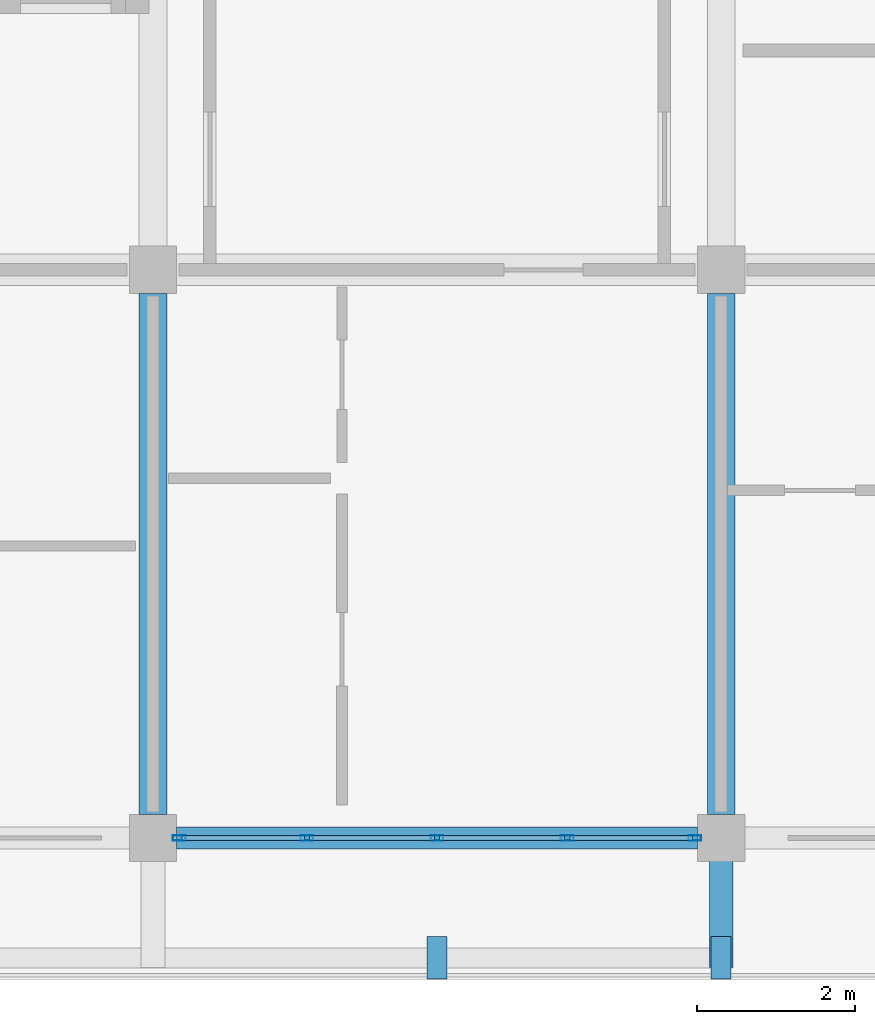
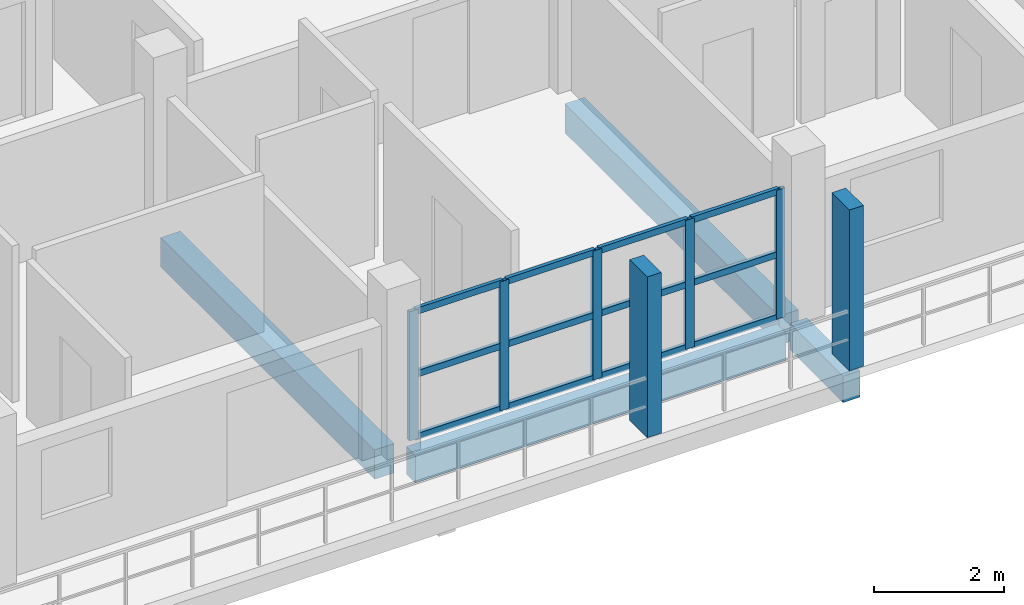
# One storey, part 8 of 78: 19 members, 4 beams, 1 element without a shape of its own.
"""IFC4 building model written with IfcOpenShell, lengths in metres."""

from ifc_helpers import new_model, si_unit, direction, frame, origin, origin_2d, place, context, subcontext, project, spatial, rectangle, hollow_rectangle, extrude, material, material_profile, profile_set, type_object, element, aggregate, save


model = new_model("IFC4")

# Units and contexts
model_context = context("Model", 3, precision=1e-05, world=origin(), true_north=direction((0.0, 1.0)))
body_context = subcontext(model_context, "Body", "Model", "MODEL_VIEW")
ifc_project = project(units=[si_unit("LENGTHUNIT", "METRE"), si_unit("AREAUNIT", "SQUARE_METRE"), si_unit("VOLUMEUNIT", "CUBIC_METRE"), si_unit("PLANEANGLEUNIT", "RADIAN"), si_unit("MASSUNIT", "GRAM", prefix="KILO")], contexts=[model_context])

# Site, building, storey
site_placement = place(None, origin())
site = spatial("IfcSite", under=ifc_project, at=site_placement, CompositionType="ELEMENT")
building_placement = place(site_placement, origin())
building = spatial("IfcBuilding", under=site, at=building_placement, Name="Suanplinth Sawtooth Commons", CompositionType="ELEMENT")
storey_placement = place(building_placement, frame((0.0, 0.0, 15.39990234375)))
storey = spatial("IfcBuildingStorey", under=building, at=storey_placement, Name="L04", CompositionType="ELEMENT", Elevation=15.39990234375)

# Beams
ifc_material_1 = material(Name="Precast concrete C40/50", Category="concrete")
ifc_material_profile_1 = material_profile(ifc_material_1, rectangle(XDim=0.35009765625, YDim=0.550048828125, at=origin_2d()), Name="PC-BM 350x550")
ifc_profile_set_1 = profile_set([ifc_material_profile_1], Name="Precast concrete C40/50")
beam_type_1 = type_object("IfcBeamType", Name="B-06", PredefinedType="BEAM", material=ifc_profile_set_1)
for number, where, z_axis, x_axis, name in (
    (1, (36.0, 0.300048828125, -0.494873046875), (0.0, 1.0, 0.0), (-1.0, 0.0, 0.0), "BMY-L04-D-5-0"),
    (2, (43.199951171875, 0.300048828125, -0.494873046875), (0.0, 1.0, 0.0), (-1.0, 0.0, 0.0), "BMY-L04-D-6-0"),
):
    element("IfcBeam", number, at=place(storey_placement, frame(where, z_axis=z_axis, x_axis=x_axis)), inside=storey, type_object=beam_type_1, Name=name, PredefinedType="BEAM", context=body_context, shape_type="SweptSolid", body=[
        extrude(rectangle(XDim=0.35009765625, YDim=0.550048828125, at=origin_2d()), origin(), (0.0, 0.0, 1.0), 6.599853515625),
    ])
ifc_material_profile_2 = material_profile(ifc_material_1, rectangle(XDim=0.300048828125, YDim=0.5, at=origin_2d()), Name="PC-BM 300x500")
ifc_profile_set_2 = profile_set([ifc_material_profile_2], Name="Precast concrete C40/50")
beam_type_2 = type_object("IfcBeamType", Name="B-07", PredefinedType="BEAM", material=ifc_profile_set_2)
beam_1_placement = place(storey_placement, frame((43.199951171875, 0.0, -0.429931640625), z_axis=(0.0, -1.0, 0.0), x_axis=(1.0, 0.0, 0.0)))
element("IfcBeam", 3, at=beam_1_placement, inside=storey, type_object=beam_type_2, Name="Balcony Outrigger L04-D-S-6", PredefinedType="BEAM", context=body_context, shape_type="SweptSolid", body=[
    extrude(rectangle(XDim=0.300048828125, YDim=0.5, at=origin_2d()), origin(), (0.0, 0.0, 1.0), 1.639892578125),
])
ifc_material_profile_3 = material_profile(ifc_material_1, rectangle(XDim=0.280029296875, YDim=0.52001953125, at=origin_2d()), Name="PC-SP 280x520")
ifc_profile_set_3 = profile_set([ifc_material_profile_3], Name="Precast concrete C40/50")
beam_type_3 = type_object("IfcBeamType", Name="B-08", PredefinedType="SPANDREL", material=ifc_profile_set_3)
beam_2_placement = place(storey_placement, frame((36.300048828125, 0.0, -0.47998046875), z_axis=(1.0, 0.0, 0.0), x_axis=(0.0, 1.0, 0.0)))
element("IfcBeam", 4, at=beam_2_placement, inside=storey, type_object=beam_type_3, Name="BMX-L04-D-5-0", PredefinedType="SPANDREL", context=body_context, shape_type="SweptSolid", body=[
    extrude(rectangle(XDim=0.280029296875, YDim=0.52001953125, at=origin_2d()), origin(), (0.0, 0.0, 1.0), 6.599853515625),
])

# Members
ifc_material_2 = material(Name="Pigmented precast concrete C40/50", Category="concrete")
ifc_material_profile_4 = material_profile(ifc_material_2, rectangle(XDim=0.25, YDim=0.5400390625, at=origin_2d()), Name="PC-FIN 250x540")
ifc_profile_set_4 = profile_set([ifc_material_profile_4], Name="Pigmented precast concrete C40/50")
member_type_1 = type_object("IfcMemberType", Name="M-11", PredefinedType="USERDEFINED", material=ifc_profile_set_4)
for number, where, z_axis, x_axis, name in (
    (5, (39.60009765625, -1.52001953125, 0.0), (0.0, 0.0, 1.0), (1.0, 0.0, 0.0), "Upright Solar Blade L04-D-S-06"),
    (6, (43.199951171875, -1.52001953125, 0.0), (0.0, 0.0, 1.0), (1.0, 0.0, 0.0), "Upright Solar Blade L04-D-S-07"),
):
    element("IfcMember", number, at=place(storey_placement, frame(where, z_axis=z_axis, x_axis=x_axis)), inside=storey, type_object=member_type_1, Name=name, ObjectType="SHADING FIN", PredefinedType="USERDEFINED", context=body_context, shape_type="SweptSolid", body=[
        extrude(rectangle(XDim=0.25, YDim=0.5400390625, at=origin_2d()), origin(), (0.0, 0.0, 1.0), 3.030029296875),
    ])

# Curtain wall, members
ifc_material_3 = material(Name="Anodized aluminium and low-E glazing", Category="aluminium")
curtain_wall_type = type_object("IfcCurtainWallType", Name="CW-06", PredefinedType="USERDEFINED", material=ifc_material_3)
curtain_wall_placement = place(storey_placement, origin())
curtain_wall = element("IfcCurtainWall", 7, at=curtain_wall_placement, inside=storey, type_object=curtain_wall_type, Name="Curtain Wall CW-L04-D-LOUNGE-5", ObjectType="CURTAIN WALL", PredefinedType="USERDEFINED")
ifc_material_4 = material(Name="Anodized aluminium 6063-T6", Category="aluminium")
ifc_material_profile_5 = material_profile(ifc_material_4, hollow_rectangle(XDim=0.06494140625, YDim=0.159912109375, WallThickness=0.00390625, at=origin_2d()), Name="ALU-MUL 65x160")
ifc_profile_set_5 = profile_set([ifc_material_profile_5], Name="Anodized aluminium 6063-T6")
member_type_2 = type_object("IfcMemberType", Name="M-13", PredefinedType="MULLION", material=ifc_profile_set_5)
member_1_placement = place(storey_placement, frame((36.33251953125, 0.0, 0.0), z_axis=(0.0, 0.0, 1.0), x_axis=(0.0, 1.0, 0.0)))
member_1 = element("IfcMember", 8, at=member_1_placement, type_object=member_type_2, Name="CW-06 mullion 1", PredefinedType="MULLION", context=body_context, shape_type="SweptSolid", body=[
    extrude(hollow_rectangle(XDim=0.06494140625, YDim=0.159912109375, WallThickness=0.00390625, at=origin_2d()), origin(), (0.0, 0.0, 1.0), 2.43017578125),
])
member_2_placement = place(storey_placement, frame((37.949951171875, 0.0, 0.0), z_axis=(0.0, 0.0, 1.0), x_axis=(0.0, 1.0, 0.0)))
member_2 = element("IfcMember", 9, at=member_2_placement, type_object=member_type_2, Name="CW-06 mullion 2", PredefinedType="MULLION", context=body_context, shape_type="SweptSolid", body=[
    extrude(hollow_rectangle(XDim=0.06494140625, YDim=0.159912109375, WallThickness=0.00390625, at=origin_2d()), origin(), (0.0, 0.0, 1.0), 2.43017578125),
])
member_3_placement = place(storey_placement, frame((39.60009765625, 0.0, 0.0), z_axis=(0.0, 0.0, 1.0), x_axis=(0.0, 1.0, 0.0)))
member_3 = element("IfcMember", 10, at=member_3_placement, type_object=member_type_2, Name="CW-06 mullion 3", PredefinedType="MULLION", context=body_context, shape_type="SweptSolid", body=[
    extrude(hollow_rectangle(XDim=0.06494140625, YDim=0.159912109375, WallThickness=0.00390625, at=origin_2d()), origin(), (0.0, 0.0, 1.0), 2.43017578125),
])
member_4_placement = place(storey_placement, frame((41.25, 0.0, 0.0), z_axis=(0.0, 0.0, 1.0), x_axis=(0.0, 1.0, 0.0)))
member_4 = element("IfcMember", 11, at=member_4_placement, type_object=member_type_2, Name="CW-06 mullion 4", PredefinedType="MULLION", context=body_context, shape_type="SweptSolid", body=[
    extrude(hollow_rectangle(XDim=0.06494140625, YDim=0.159912109375, WallThickness=0.00390625, at=origin_2d()), origin(), (0.0, 0.0, 1.0), 2.43017578125),
])
member_5_placement = place(storey_placement, frame((42.867431640625, 0.0, 0.0), z_axis=(0.0, 0.0, 1.0), x_axis=(0.0, 1.0, 0.0)))
member_5 = element("IfcMember", 12, at=member_5_placement, type_object=member_type_2, Name="CW-06 mullion 5", PredefinedType="MULLION", context=body_context, shape_type="SweptSolid", body=[
    extrude(hollow_rectangle(XDim=0.06494140625, YDim=0.159912109375, WallThickness=0.00390625, at=origin_2d()), origin(), (0.0, 0.0, 1.0), 2.43017578125),
])
ifc_material_profile_6 = material_profile(ifc_material_4, hollow_rectangle(XDim=0.06494140625, YDim=0.1201171875, WallThickness=0.00390625, at=origin_2d()), Name="ALU-TRN 65x120")
ifc_profile_set_6 = profile_set([ifc_material_profile_6], Name="Anodized aluminium 6063-T6")
member_type_3 = type_object("IfcMemberType", Name="M-15", PredefinedType="USERDEFINED", material=ifc_profile_set_6)
member_6_placement = place(storey_placement, frame((36.364990234375, 0.0, 0.03271484375), z_axis=(1.0, 0.0, 0.0), x_axis=(0.0, 1.0, 0.0)))
member_6 = element("IfcMember", 13, at=member_6_placement, type_object=member_type_3, Name="CW-06 transom 1.1", ObjectType="TRANSOM", PredefinedType="USERDEFINED", context=body_context, shape_type="SweptSolid", body=[
    extrude(hollow_rectangle(XDim=0.06494140625, YDim=0.1201171875, WallThickness=0.00390625, at=origin_2d()), origin(), (0.0, 0.0, 1.0), 1.552490234375),
])
member_7_placement = place(storey_placement, frame((36.364990234375, 0.0, 1.215087890625), z_axis=(1.0, 0.0, 0.0), x_axis=(0.0, 1.0, 0.0)))
member_7 = element("IfcMember", 14, at=member_7_placement, type_object=member_type_3, Name="CW-06 transom 1.2", ObjectType="TRANSOM", PredefinedType="USERDEFINED", context=body_context, shape_type="SweptSolid", body=[
    extrude(hollow_rectangle(XDim=0.06494140625, YDim=0.1201171875, WallThickness=0.00390625, at=origin_2d()), origin(), (0.0, 0.0, 1.0), 1.552490234375),
])
member_8_placement = place(storey_placement, frame((36.364990234375, 0.0, 2.397705078125), z_axis=(1.0, 0.0, 0.0), x_axis=(0.0, 1.0, 0.0)))
member_8 = element("IfcMember", 15, at=member_8_placement, type_object=member_type_3, Name="CW-06 transom 1.3", ObjectType="TRANSOM", PredefinedType="USERDEFINED", context=body_context, shape_type="SweptSolid", body=[
    extrude(hollow_rectangle(XDim=0.06494140625, YDim=0.1201171875, WallThickness=0.00390625, at=origin_2d()), origin(), (0.0, 0.0, 1.0), 1.552490234375),
])
member_9_placement = place(storey_placement, frame((37.982421875, 0.0, 0.03271484375), z_axis=(1.0, 0.0, 0.0), x_axis=(0.0, 1.0, 0.0)))
member_9 = element("IfcMember", 16, at=member_9_placement, type_object=member_type_3, Name="CW-06 transom 2.1", ObjectType="TRANSOM", PredefinedType="USERDEFINED", context=body_context, shape_type="SweptSolid", body=[
    extrude(hollow_rectangle(XDim=0.06494140625, YDim=0.1201171875, WallThickness=0.00390625, at=origin_2d()), origin(), (0.0, 0.0, 1.0), 1.5849609375),
])
member_10_placement = place(storey_placement, frame((37.982421875, 0.0, 1.215087890625), z_axis=(1.0, 0.0, 0.0), x_axis=(0.0, 1.0, 0.0)))
member_10 = element("IfcMember", 17, at=member_10_placement, type_object=member_type_3, Name="CW-06 transom 2.2", ObjectType="TRANSOM", PredefinedType="USERDEFINED", context=body_context, shape_type="SweptSolid", body=[
    extrude(hollow_rectangle(XDim=0.06494140625, YDim=0.1201171875, WallThickness=0.00390625, at=origin_2d()), origin(), (0.0, 0.0, 1.0), 1.5849609375),
])
member_11_placement = place(storey_placement, frame((37.982421875, 0.0, 2.397705078125), z_axis=(1.0, 0.0, 0.0), x_axis=(0.0, 1.0, 0.0)))
member_11 = element("IfcMember", 18, at=member_11_placement, type_object=member_type_3, Name="CW-06 transom 2.3", ObjectType="TRANSOM", PredefinedType="USERDEFINED", context=body_context, shape_type="SweptSolid", body=[
    extrude(hollow_rectangle(XDim=0.06494140625, YDim=0.1201171875, WallThickness=0.00390625, at=origin_2d()), origin(), (0.0, 0.0, 1.0), 1.5849609375),
])
member_12_placement = place(storey_placement, frame((39.632568359375, 0.0, 0.03271484375), z_axis=(1.0, 0.0, 0.0), x_axis=(0.0, 1.0, 0.0)))
member_12 = element("IfcMember", 19, at=member_12_placement, type_object=member_type_3, Name="CW-06 transom 3.1", ObjectType="TRANSOM", PredefinedType="USERDEFINED", context=body_context, shape_type="SweptSolid", body=[
    extrude(hollow_rectangle(XDim=0.06494140625, YDim=0.1201171875, WallThickness=0.00390625, at=origin_2d()), origin(), (0.0, 0.0, 1.0), 1.5849609375),
])
member_13_placement = place(storey_placement, frame((39.632568359375, 0.0, 1.215087890625), z_axis=(1.0, 0.0, 0.0), x_axis=(0.0, 1.0, 0.0)))
member_13 = element("IfcMember", 20, at=member_13_placement, type_object=member_type_3, Name="CW-06 transom 3.2", ObjectType="TRANSOM", PredefinedType="USERDEFINED", context=body_context, shape_type="SweptSolid", body=[
    extrude(hollow_rectangle(XDim=0.06494140625, YDim=0.1201171875, WallThickness=0.00390625, at=origin_2d()), origin(), (0.0, 0.0, 1.0), 1.5849609375),
])
member_14_placement = place(storey_placement, frame((39.632568359375, 0.0, 2.397705078125), z_axis=(1.0, 0.0, 0.0), x_axis=(0.0, 1.0, 0.0)))
member_14 = element("IfcMember", 21, at=member_14_placement, type_object=member_type_3, Name="CW-06 transom 3.3", ObjectType="TRANSOM", PredefinedType="USERDEFINED", context=body_context, shape_type="SweptSolid", body=[
    extrude(hollow_rectangle(XDim=0.06494140625, YDim=0.1201171875, WallThickness=0.00390625, at=origin_2d()), origin(), (0.0, 0.0, 1.0), 1.5849609375),
])
member_15_placement = place(storey_placement, frame((41.282470703125, 0.0, 0.03271484375), z_axis=(1.0, 0.0, 0.0), x_axis=(0.0, 1.0, 0.0)))
member_15 = element("IfcMember", 22, at=member_15_placement, type_object=member_type_3, Name="CW-06 transom 4.1", ObjectType="TRANSOM", PredefinedType="USERDEFINED", context=body_context, shape_type="SweptSolid", body=[
    extrude(hollow_rectangle(XDim=0.06494140625, YDim=0.1201171875, WallThickness=0.00390625, at=origin_2d()), origin(), (0.0, 0.0, 1.0), 1.552490234375),
])
member_16_placement = place(storey_placement, frame((41.282470703125, 0.0, 1.215087890625), z_axis=(1.0, 0.0, 0.0), x_axis=(0.0, 1.0, 0.0)))
member_16 = element("IfcMember", 23, at=member_16_placement, type_object=member_type_3, Name="CW-06 transom 4.2", ObjectType="TRANSOM", PredefinedType="USERDEFINED", context=body_context, shape_type="SweptSolid", body=[
    extrude(hollow_rectangle(XDim=0.06494140625, YDim=0.1201171875, WallThickness=0.00390625, at=origin_2d()), origin(), (0.0, 0.0, 1.0), 1.552490234375),
])
member_17_placement = place(storey_placement, frame((41.282470703125, 0.0, 2.397705078125), z_axis=(1.0, 0.0, 0.0), x_axis=(0.0, 1.0, 0.0)))
member_17 = element("IfcMember", 24, at=member_17_placement, type_object=member_type_3, Name="CW-06 transom 4.3", ObjectType="TRANSOM", PredefinedType="USERDEFINED", context=body_context, shape_type="SweptSolid", body=[
    extrude(hollow_rectangle(XDim=0.06494140625, YDim=0.1201171875, WallThickness=0.00390625, at=origin_2d()), origin(), (0.0, 0.0, 1.0), 1.552490234375),
])
aggregate(curtain_wall, [member_1, member_2, member_3, member_4, member_5, member_6, member_7, member_8, member_9, member_10, member_11, member_12, member_13, member_14, member_15, member_16, member_17])

save(model, "model.ifc")
